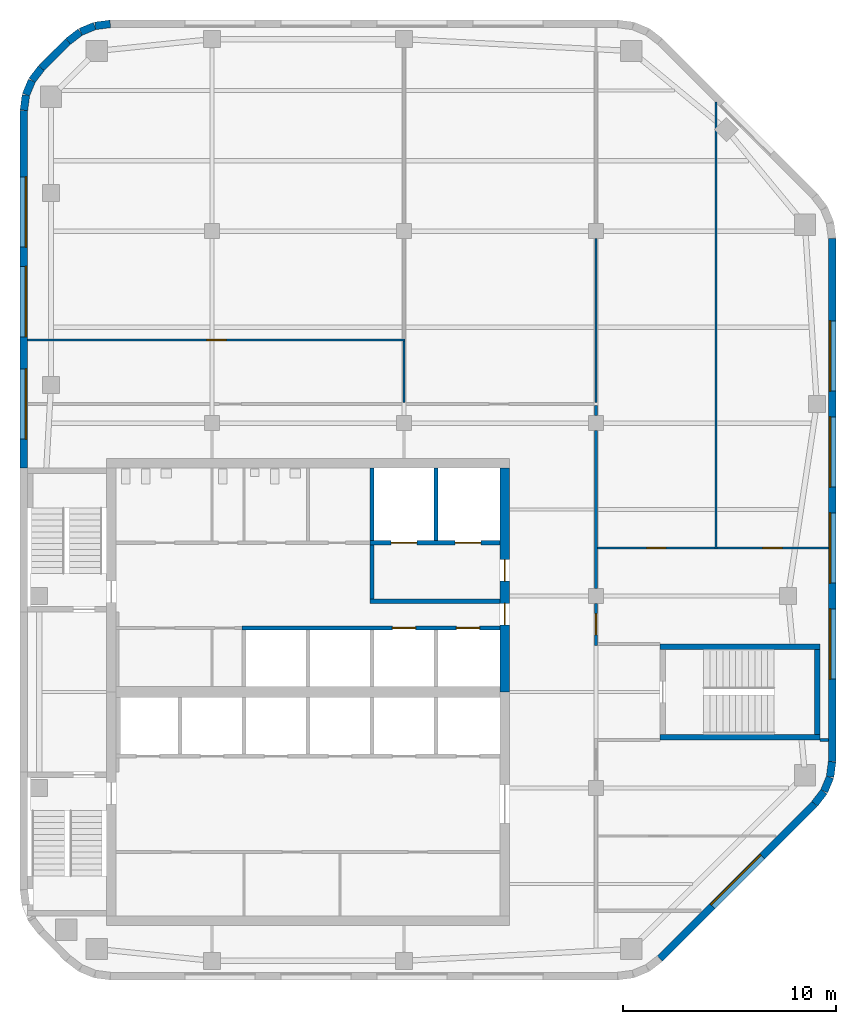
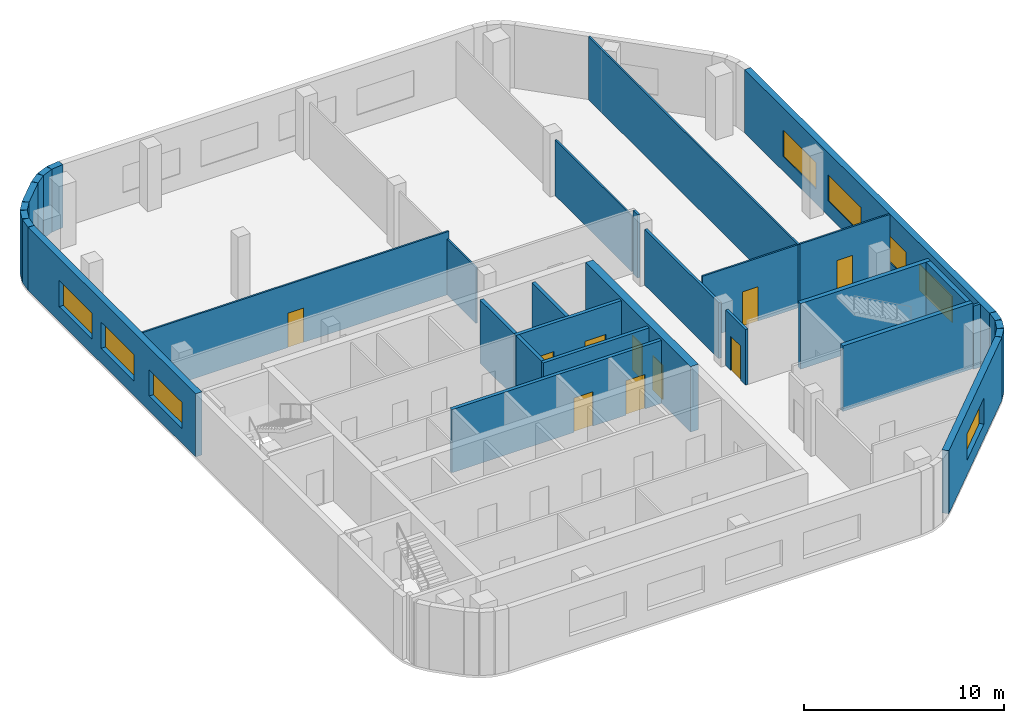
# One storey, part 4 of 7: 33 walls, 10 doors, 8 windows, 18 openings.
"""IFC4 building model written with IfcOpenShell, lengths in metres."""

from ifc_helpers import new_model, si_unit, direction, frame, frame_2d, origin, place, context, subcontext, project, spatial, rectangle, extrude, material, layer, layer_set, type_object, element, fill, save


model = new_model("IFC4")

# Units and contexts
model_context = context("Model", 3, precision=1e-05, world=origin(), true_north=direction((0.0, 1.0)))
body_context = subcontext(model_context, "Body", "Model", "MODEL_VIEW")
ifc_project = project(units=[si_unit("LENGTHUNIT", "METRE"), si_unit("AREAUNIT", "SQUARE_METRE"), si_unit("VOLUMEUNIT", "CUBIC_METRE"), si_unit("PLANEANGLEUNIT", "RADIAN"), si_unit("MASSUNIT", "GRAM", prefix="KILO")], contexts=[model_context])

# Site, building, storey
site_placement = place(None, origin())
site = spatial("IfcSite", under=ifc_project, at=site_placement, CompositionType="ELEMENT")
building_placement = place(site_placement, origin())
building = spatial("IfcBuilding", under=site, at=building_placement, Name="Cinnabar Reach Civic Tower", CompositionType="ELEMENT")
storey_placement = place(building_placement, frame((0.0, 0.0, 251.0)))
storey = spatial("IfcBuildingStorey", under=building, at=storey_placement, Name="L60", CompositionType="ELEMENT", Elevation=251.0)

# Walls
ifc_material_1 = material(Name="Facing brick with insulated backing", Category="masonry")
ifc_layer_1 = layer(ifc_material_1, 0.36)
ifc_layer_set_1 = layer_set([ifc_layer_1], Name="Brick corner wall")
wall_type_1 = type_object("IfcWallType", Name="Brick corner wall", PredefinedType="STANDARD", material=ifc_layer_set_1)
wall_1_placement = place(storey_placement, frame((37.2498, 26.2587, 0.0), z_axis=(0.0, 0.0, 1.0), x_axis=(0.608802368033, 0.793321924995, 0.0)))
element("IfcWall", 1, at=wall_1_placement, inside=storey, type_object=wall_type_1, Name="Brick corner wall", PredefinedType="STANDARD", context=body_context, shape_type="SweptSolid", body=[
    extrude(rectangle(XDim=0.7132, YDim=0.36, at=frame_2d((0.3566, 0.0))), origin(), (0.0, 0.0, 1.0), 3.85),
])
for number, where, z_axis, x_axis, name in (
    (2, (37.6952, 26.8439, 0.0), (0.0, 0.0, 1.0), (0.382702709855, 0.923871547278, 0.0), "Brick corner wall"),
    (3, (37.9739, 27.5244, 0.0), (0.0, 0.0, 1.0), (0.13055608231, 0.99144092581, 0.0), "Brick corner wall"),
    (4, (4.2314, 62.817, 0.0), (0.0, 0.0, 1.0), (-0.99144092581, -0.13055608231, 0.0), "Brick corner wall"),
    (5, (3.5027, 62.7181, 0.0), (0.0, 0.0, 1.0), (-0.923871547278, -0.382702709855, 0.0), "Brick corner wall"),
):
    element("IfcWall", number, at=place(storey_placement, frame(where, z_axis=z_axis, x_axis=x_axis)), inside=storey, type_object=wall_type_1, Name=name, PredefinedType="STANDARD", context=body_context, shape_type="SweptSolid", body=[
        extrude(rectangle(XDim=0.7131, YDim=0.36, at=frame_2d((0.3565, 0.0))), origin(), (0.0, 0.0, 1.0), 3.85),
    ])
for number, where, z_axis, x_axis, name in (
    (6, (2.8245, 62.434, 0.0), (0.0, 0.0, 1.0), (-0.793321924995, -0.608802368033, 0.0), "Brick corner wall"),
    (7, (1.0002, 60.7413, 0.0), (0.0, 0.0, 1.0), (-0.608802368033, -0.793321924995, 0.0), "Brick corner wall"),
):
    element("IfcWall", number, at=place(storey_placement, frame(where, z_axis=z_axis, x_axis=x_axis)), inside=storey, type_object=wall_type_1, Name=name, PredefinedType="STANDARD", context=body_context, shape_type="SweptSolid", body=[
        extrude(rectangle(XDim=0.7132, YDim=0.36, at=frame_2d((0.3566, 0.0))), origin(), (0.0, 0.0, 1.0), 3.85),
    ])
for number, where, z_axis, x_axis, name in (
    (8, (0.5548, 60.1561, 0.0), (0.0, 0.0, 1.0), (-0.382702709855, -0.923871547278, 0.0), "Brick corner wall"),
    (9, (0.2761, 59.4756, 0.0), (0.0, 0.0, 1.0), (-0.13055608231, -0.99144092581, 0.0), "Brick corner wall"),
):
    element("IfcWall", number, at=place(storey_placement, frame(where, z_axis=z_axis, x_axis=x_axis)), inside=storey, type_object=wall_type_1, Name=name, PredefinedType="STANDARD", context=body_context, shape_type="SweptSolid", body=[
        extrude(rectangle(XDim=0.7131, YDim=0.36, at=frame_2d((0.3565, 0.0))), origin(), (0.0, 0.0, 1.0), 3.85),
    ])

# Wall, opening, window
ifc_layer_2 = layer(ifc_material_1, 0.36)
ifc_layer_set_2 = layer_set([ifc_layer_2], Name="Brick pier and spandrel wall")
wall_type_2 = type_object("IfcWallType", Name="Brick pier and spandrel wall", PredefinedType="STANDARD", material=ifc_layer_set_2)
wall_2_placement = place(storey_placement, frame((30.0014, 19.006, 0.0), z_axis=(0.0, 0.0, 1.0), x_axis=(0.707106781187, 0.707106781187, 0.0)))
wall_2 = element("IfcWall", 10, at=wall_2_placement, inside=storey, type_object=wall_type_2, Name="Brick facade wall", PredefinedType="STANDARD", context=body_context, shape_type="SweptSolid", body=[
    extrude(rectangle(XDim=10.2426, YDim=0.36, at=frame_2d((5.1213, 0.0))), origin(), (0.0, 0.0, 1.0), 3.85),
])
opening_1_placement = place(wall_2_placement, frame((3.4713, 0.0, 0.9)))
opening_1 = element("IfcOpeningElement", 11, at=opening_1_placement, cuts=wall_2, Name="Opening W2198", PredefinedType="OPENING", context=body_context, shape_type="SweptSolid", body=[
    extrude(rectangle(XDim=3.3, YDim=1.6, at=frame_2d((1.65, 0.8))), frame((0.0, 0.19, 0.0), z_axis=(0.0, -1.0, 0.0), x_axis=(1.0, 0.0, 0.0)), (0.0, 0.0, 1.0), 0.38),
])
ifc_material_2 = material(Name="Clear double glazing in aluminium frame", Category="aluminium")
window_type = type_object("IfcWindowType", Name="Deep-set window A", PartitioningType="SINGLE_PANEL", PredefinedType="WINDOW", material=ifc_material_2)
window_1_placement = place(opening_1_placement, origin())
window_1 = element("IfcWindow", 12, at=window_1_placement, inside=storey, type_object=window_type, Name="Window southeast face", OverallHeight=1.6, OverallWidth=3.3, PartitioningType="SINGLE_PANEL", PredefinedType="WINDOW", context=body_context, shape_type="SweptSolid", body=[
    extrude(rectangle(XDim=3.3, YDim=1.6, at=frame_2d((1.65, 0.8))), frame((0.0, 0.13, 0.0), z_axis=(0.0, -1.0, 0.0), x_axis=(1.0, 0.0, 0.0)), (0.0, 0.0, 1.0), 0.06),
])
fill(opening_1, window_1)

# Wall, openings, windows
wall_3_placement = place(storey_placement, frame((38.07, 28.2426, 0.0), z_axis=(0.0, 0.0, 1.0), x_axis=(0.0, 1.0, 0.0)))
wall_3 = element("IfcWall", 13, at=wall_3_placement, inside=storey, type_object=wall_type_2, Name="Brick facade wall", PredefinedType="STANDARD", context=body_context, shape_type="SweptSolid", body=[
    extrude(rectangle(XDim=24.5148, YDim=0.36, at=frame_2d((12.2574, 0.0))), origin(), (0.0, 0.0, 1.0), 3.85),
])
opening_2_placement = place(wall_3_placement, frame((3.8574, 0.0, 0.9)))
opening_2 = element("IfcOpeningElement", 14, at=opening_2_placement, cuts=wall_3, Name="Opening W2199", PredefinedType="OPENING", context=body_context, shape_type="SweptSolid", body=[
    extrude(rectangle(XDim=3.3, YDim=1.6, at=frame_2d((1.65, 0.8))), frame((0.0, 0.19, 0.0), z_axis=(0.0, -1.0, 0.0), x_axis=(1.0, 0.0, 0.0)), (0.0, 0.0, 1.0), 0.38),
])
opening_3_placement = place(wall_3_placement, frame((8.3574, 0.0, 0.9)))
opening_3 = element("IfcOpeningElement", 15, at=opening_3_placement, cuts=wall_3, Name="Opening W2200", PredefinedType="OPENING", context=body_context, shape_type="SweptSolid", body=[
    extrude(rectangle(XDim=3.3, YDim=1.6, at=frame_2d((1.65, 0.8))), frame((0.0, 0.19, 0.0), z_axis=(0.0, -1.0, 0.0), x_axis=(1.0, 0.0, 0.0)), (0.0, 0.0, 1.0), 0.38),
])
opening_4_placement = place(wall_3_placement, frame((12.8574, 0.0, 0.9)))
opening_4 = element("IfcOpeningElement", 16, at=opening_4_placement, cuts=wall_3, Name="Opening W2201", PredefinedType="OPENING", context=body_context, shape_type="SweptSolid", body=[
    extrude(rectangle(XDim=3.3, YDim=1.6, at=frame_2d((1.65, 0.8))), frame((0.0, 0.19, 0.0), z_axis=(0.0, -1.0, 0.0), x_axis=(1.0, 0.0, 0.0)), (0.0, 0.0, 1.0), 0.38),
])
opening_5_placement = place(wall_3_placement, frame((17.3574, 0.0, 0.9)))
opening_5 = element("IfcOpeningElement", 17, at=opening_5_placement, cuts=wall_3, Name="Opening W2202", PredefinedType="OPENING", context=body_context, shape_type="SweptSolid", body=[
    extrude(rectangle(XDim=3.3, YDim=1.6, at=frame_2d((1.65, 0.8))), frame((0.0, 0.19, 0.0), z_axis=(0.0, -1.0, 0.0), x_axis=(1.0, 0.0, 0.0)), (0.0, 0.0, 1.0), 0.38),
])
window_2_placement = place(opening_2_placement, origin())
window_2 = element("IfcWindow", 18, at=window_2_placement, inside=storey, type_object=window_type, Name="Window east face", OverallHeight=1.6, OverallWidth=3.3, PartitioningType="SINGLE_PANEL", PredefinedType="WINDOW", context=body_context, shape_type="SweptSolid", body=[
    extrude(rectangle(XDim=3.3, YDim=1.6, at=frame_2d((1.65, 0.8))), frame((0.0, 0.13, 0.0), z_axis=(0.0, -1.0, 0.0), x_axis=(1.0, 0.0, 0.0)), (0.0, 0.0, 1.0), 0.06),
])
fill(opening_2, window_2)
window_3_placement = place(opening_3_placement, origin())
window_3 = element("IfcWindow", 19, at=window_3_placement, inside=storey, type_object=window_type, Name="Window east face", OverallHeight=1.6, OverallWidth=3.3, PartitioningType="SINGLE_PANEL", PredefinedType="WINDOW", context=body_context, shape_type="SweptSolid", body=[
    extrude(rectangle(XDim=3.3, YDim=1.6, at=frame_2d((1.65, 0.8))), frame((0.0, 0.13, 0.0), z_axis=(0.0, -1.0, 0.0), x_axis=(1.0, 0.0, 0.0)), (0.0, 0.0, 1.0), 0.06),
])
fill(opening_3, window_3)
window_4_placement = place(opening_4_placement, origin())
window_4 = element("IfcWindow", 20, at=window_4_placement, inside=storey, type_object=window_type, Name="Window east face", OverallHeight=1.6, OverallWidth=3.3, PartitioningType="SINGLE_PANEL", PredefinedType="WINDOW", context=body_context, shape_type="SweptSolid", body=[
    extrude(rectangle(XDim=3.3, YDim=1.6, at=frame_2d((1.65, 0.8))), frame((0.0, 0.13, 0.0), z_axis=(0.0, -1.0, 0.0), x_axis=(1.0, 0.0, 0.0)), (0.0, 0.0, 1.0), 0.06),
])
fill(opening_4, window_4)
window_5_placement = place(opening_5_placement, origin())
window_5 = element("IfcWindow", 21, at=window_5_placement, inside=storey, type_object=window_type, Name="Window east face", OverallHeight=1.6, OverallWidth=3.3, PartitioningType="SINGLE_PANEL", PredefinedType="WINDOW", context=body_context, shape_type="SweptSolid", body=[
    extrude(rectangle(XDim=3.3, YDim=1.6, at=frame_2d((1.65, 0.8))), frame((0.0, 0.13, 0.0), z_axis=(0.0, -1.0, 0.0), x_axis=(1.0, 0.0, 0.0)), (0.0, 0.0, 1.0), 0.06),
])
fill(opening_5, window_5)

# Wall
wall_4_placement = place(storey_placement, frame((2.2486, 61.994, 0.0), z_axis=(0.0, 0.0, 1.0), x_axis=(-0.707106781187, -0.707106781187, 0.0)))
element("IfcWall", 22, at=wall_4_placement, inside=storey, type_object=wall_type_2, Name="Brick facade wall", PredefinedType="STANDARD", context=body_context, shape_type="SweptSolid", body=[
    extrude(rectangle(XDim=1.7573, YDim=0.36, at=frame_2d((0.8787, 0.0))), origin(), (0.0, 0.0, 1.0), 3.85),
])

# Wall, openings, windows
wall_5_placement = place(storey_placement, frame((0.18, 58.7574, 0.0), z_axis=(0.0, 0.0, 1.0), x_axis=(0.0, -1.0, 0.0)))
wall_5 = element("IfcWall", 23, at=wall_5_placement, inside=storey, type_object=wall_type_2, Name="Brick facade wall", PredefinedType="STANDARD", context=body_context, shape_type="SweptSolid", body=[
    extrude(rectangle(XDim=16.7574, YDim=0.36, at=frame_2d((8.3787, 0.0))), origin(), (0.0, 0.0, 1.0), 3.85),
])
opening_6_placement = place(wall_5_placement, frame((3.1074, 0.0, 0.9)))
opening_6 = element("IfcOpeningElement", 24, at=opening_6_placement, cuts=wall_5, Name="Opening W2208", PredefinedType="OPENING", context=body_context, shape_type="SweptSolid", body=[
    extrude(rectangle(XDim=3.3, YDim=1.6, at=frame_2d((1.65, 0.8))), frame((0.0, 0.19, 0.0), z_axis=(0.0, -1.0, 0.0), x_axis=(1.0, 0.0, 0.0)), (0.0, 0.0, 1.0), 0.38),
])
opening_7_placement = place(wall_5_placement, frame((7.3074, 0.0, 0.9)))
opening_7 = element("IfcOpeningElement", 25, at=opening_7_placement, cuts=wall_5, Name="Opening W2209", PredefinedType="OPENING", context=body_context, shape_type="SweptSolid", body=[
    extrude(rectangle(XDim=3.3, YDim=1.6, at=frame_2d((1.65, 0.8))), frame((0.0, 0.19, 0.0), z_axis=(0.0, -1.0, 0.0), x_axis=(1.0, 0.0, 0.0)), (0.0, 0.0, 1.0), 0.38),
])
opening_8_placement = place(wall_5_placement, frame((12.1074, 0.0, 0.9)))
opening_8 = element("IfcOpeningElement", 26, at=opening_8_placement, cuts=wall_5, Name="Opening W2210", PredefinedType="OPENING", context=body_context, shape_type="SweptSolid", body=[
    extrude(rectangle(XDim=3.3, YDim=1.6, at=frame_2d((1.65, 0.8))), frame((0.0, 0.19, 0.0), z_axis=(0.0, -1.0, 0.0), x_axis=(1.0, 0.0, 0.0)), (0.0, 0.0, 1.0), 0.38),
])
window_6_placement = place(opening_6_placement, origin())
window_6 = element("IfcWindow", 27, at=window_6_placement, inside=storey, type_object=window_type, Name="Window west face", OverallHeight=1.6, OverallWidth=3.3, PartitioningType="SINGLE_PANEL", PredefinedType="WINDOW", context=body_context, shape_type="SweptSolid", body=[
    extrude(rectangle(XDim=3.3, YDim=1.6, at=frame_2d((1.65, 0.8))), frame((0.0, 0.13, 0.0), z_axis=(0.0, -1.0, 0.0), x_axis=(1.0, 0.0, 0.0)), (0.0, 0.0, 1.0), 0.06),
])
fill(opening_6, window_6)
window_7_placement = place(opening_7_placement, origin())
window_7 = element("IfcWindow", 28, at=window_7_placement, inside=storey, type_object=window_type, Name="Window west face", OverallHeight=1.6, OverallWidth=3.3, PartitioningType="SINGLE_PANEL", PredefinedType="WINDOW", context=body_context, shape_type="SweptSolid", body=[
    extrude(rectangle(XDim=3.3, YDim=1.6, at=frame_2d((1.65, 0.8))), frame((0.0, 0.13, 0.0), z_axis=(0.0, -1.0, 0.0), x_axis=(1.0, 0.0, 0.0)), (0.0, 0.0, 1.0), 0.06),
])
fill(opening_7, window_7)
window_8_placement = place(opening_8_placement, origin())
window_8 = element("IfcWindow", 29, at=window_8_placement, inside=storey, type_object=window_type, Name="Window west face", OverallHeight=1.6, OverallWidth=3.3, PartitioningType="SINGLE_PANEL", PredefinedType="WINDOW", context=body_context, shape_type="SweptSolid", body=[
    extrude(rectangle(XDim=3.3, YDim=1.6, at=frame_2d((1.65, 0.8))), frame((0.0, 0.13, 0.0), z_axis=(0.0, -1.0, 0.0), x_axis=(1.0, 0.0, 0.0)), (0.0, 0.0, 1.0), 0.06),
])
fill(opening_8, window_8)

# Wall, openings, doors
ifc_material_3 = material(Name="Concrete C60", Category="concrete")
ifc_layer_3 = layer(ifc_material_3, 0.45)
ifc_layer_set_3 = layer_set([ifc_layer_3], Name="Core wall 450 EI 180")
wall_type_3 = type_object("IfcWallType", Name="Core wall 450 EI 180", PredefinedType="SOLIDWALL", material=ifc_layer_set_3)
wall_6_placement = place(storey_placement, frame((22.725, 31.5, 0.0), z_axis=(0.0, 0.0, 1.0), x_axis=(0.0, 1.0, 0.0)))
wall_6 = element("IfcWall", 30, at=wall_6_placement, inside=storey, type_object=wall_type_3, Name="Core wall T1 L60 E2", PredefinedType="SOLIDWALL", context=body_context, shape_type="SweptSolid", body=[
    extrude(rectangle(XDim=10.5, YDim=0.45, at=frame_2d((5.25, 0.0))), origin(), (0.0, 0.0, 1.0), 4.0),
])
opening_9_placement = place(wall_6_placement, frame((3.15, 0.0, 0.0)))
opening_9 = element("IfcOpeningElement", 31, at=opening_9_placement, cuts=wall_6, Name="Opening D5422", PredefinedType="OPENING", context=body_context, shape_type="SweptSolid", body=[
    extrude(rectangle(XDim=1.0, YDim=2.1, at=frame_2d((0.5, 1.05))), frame((0.0, 0.235, 0.0), z_axis=(0.0, -1.0, 0.0), x_axis=(1.0, 0.0, 0.0)), (0.0, 0.0, 1.0), 0.47),
])
opening_10_placement = place(wall_6_placement, frame((5.2, 0.0, 0.0)))
opening_10 = element("IfcOpeningElement", 32, at=opening_10_placement, cuts=wall_6, Name="Opening D5423", PredefinedType="OPENING", context=body_context, shape_type="SweptSolid", body=[
    extrude(rectangle(XDim=1.0, YDim=2.1, at=frame_2d((0.5, 1.05))), frame((0.0, 0.235, 0.0), z_axis=(0.0, -1.0, 0.0), x_axis=(1.0, 0.0, 0.0)), (0.0, 0.0, 1.0), 0.47),
])
ifc_material_4 = material(Name="Timber door leaf in steel frame", Category="steel")
door_type_1 = type_object("IfcDoorType", Name="Firefighting lobby door 1000 x 2100 T1", OperationType="SINGLE_SWING_LEFT", PredefinedType="DOOR", material=ifc_material_4)
door_1_placement = place(opening_10_placement, origin())
door_1 = element("IfcDoor", 33, at=door_1_placement, inside=storey, type_object=door_type_1, Name="Door D5423", OperationType="SINGLE_SWING_LEFT", OverallHeight=2.1, OverallWidth=1.0, PredefinedType="DOOR", context=body_context, shape_type="SweptSolid", body=[
    extrude(rectangle(XDim=1.0, YDim=2.1, at=frame_2d((0.5, 1.05))), frame((0.0, 0.025, 0.0), z_axis=(0.0, -1.0, 0.0), x_axis=(1.0, 0.0, 0.0)), (0.0, 0.0, 1.0), 0.05),
])
fill(opening_10, door_1)
door_type_2 = type_object("IfcDoorType", Name="Single swing door 1000 x 2100 T1", OperationType="SINGLE_SWING_LEFT", PredefinedType="DOOR", material=ifc_material_4)
door_2_placement = place(opening_9_placement, origin())
door_2 = element("IfcDoor", 34, at=door_2_placement, inside=storey, type_object=door_type_2, Name="Door D5422", OperationType="SINGLE_SWING_RIGHT", OverallHeight=2.1, OverallWidth=1.0, PredefinedType="DOOR", context=body_context, shape_type="SweptSolid", body=[
    extrude(rectangle(XDim=1.0, YDim=2.1, at=frame_2d((0.5, 1.05))), frame((0.0, 0.025, 0.0), z_axis=(0.0, -1.0, 0.0), x_axis=(1.0, 0.0, 0.0)), (0.0, 0.0, 1.0), 0.05),
])
fill(opening_9, door_2)

# Wall, opening, door
ifc_material_5 = material(Name="Gypsum board on steel studs, double layer", Category="steel")
ifc_layer_4 = layer(ifc_material_5, 0.15)
ifc_layer_set_4 = layer_set([ifc_layer_4], Name="Corridor wall 150 T1")
wall_type_4 = type_object("IfcWallType", Name="Corridor wall 150 T1", PredefinedType="PARTITIONING", material=ifc_layer_set_4)
wall_7_placement = place(storey_placement, frame((27.0, 33.675, 0.0), z_axis=(0.0, 0.0, 1.0), x_axis=(0.0, 1.0, 0.0)))
wall_7 = element("IfcWall", 35, at=wall_7_placement, inside=storey, type_object=wall_type_4, Name="Corridor wall 21", PredefinedType="PARTITIONING", context=body_context, shape_type="SweptSolid", body=[
    extrude(rectangle(XDim=1.975, YDim=0.15, at=frame_2d((0.9875, 0.0))), origin(), (0.0, 0.0, 1.0), 3.4),
])
opening_11_placement = place(wall_7_placement, frame((0.5, 0.0, 0.0)))
opening_11 = element("IfcOpeningElement", 36, at=opening_11_placement, cuts=wall_7, Name="Opening D5434", PredefinedType="OPENING", context=body_context, shape_type="SweptSolid", body=[
    extrude(rectangle(XDim=1.0, YDim=2.1, at=frame_2d((0.5, 1.05))), frame((0.0, 0.085, 0.0), z_axis=(0.0, -1.0, 0.0), x_axis=(1.0, 0.0, 0.0)), (0.0, 0.0, 1.0), 0.17),
])
door_type_3 = type_object("IfcDoorType", Name="Tenancy entrance door 1000 x 2100 T1", OperationType="SINGLE_SWING_LEFT", PredefinedType="DOOR", material=ifc_material_4)
door_3_placement = place(opening_11_placement, frame((1.0, 0.0, 0.0), z_axis=(0.0, 0.0, 1.0), x_axis=(-1.0, 0.0, 0.0)))
door_3 = element("IfcDoor", 37, at=door_3_placement, inside=storey, type_object=door_type_3, Name="Door D5434", OperationType="SINGLE_SWING_RIGHT", OverallHeight=2.1, OverallWidth=1.0, PredefinedType="DOOR", context=body_context, shape_type="SweptSolid", body=[
    extrude(rectangle(XDim=1.0, YDim=2.1, at=frame_2d((0.5, 1.05))), frame((0.0, 0.025, 0.0), z_axis=(0.0, -1.0, 0.0), x_axis=(1.0, 0.0, 0.0)), (0.0, 0.0, 1.0), 0.05),
])
fill(opening_11, door_3)

# Walls
wall_8_placement = place(storey_placement, frame((27.0, 36.35, 0.0), z_axis=(0.0, 0.0, 1.0), x_axis=(0.0, 1.0, 0.0)))
element("IfcWall", 38, at=wall_8_placement, inside=storey, type_object=wall_type_4, Name="Corridor wall 22", PredefinedType="PARTITIONING", context=body_context, shape_type="SweptSolid", body=[
    extrude(rectangle(XDim=7.4, YDim=0.15, at=frame_2d((3.7, 0.0))), origin(), (0.0, 0.0, 1.0), 3.4),
])
wall_9_placement = place(storey_placement, frame((27.0, 44.45, 0.0), z_axis=(0.0, 0.0, 1.0), x_axis=(0.0, 1.0, 0.0)))
element("IfcWall", 39, at=wall_9_placement, inside=storey, type_object=wall_type_4, Name="Corridor wall 23", PredefinedType="PARTITIONING", context=body_context, shape_type="SweptSolid", body=[
    extrude(rectangle(XDim=0.475, YDim=0.15, at=frame_2d((0.2375, 0.0))), origin(), (0.0, 0.0, 1.0), 3.85),
])

# Wall, openings, doors
ifc_material_6 = material(Name="Blockwork", Category="masonry")
ifc_layer_5 = layer(ifc_material_6, 0.2)
ifc_layer_set_5 = layer_set([ifc_layer_5], Name="Lift shaft wall 200 T1")
wall_type_5 = type_object("IfcWallType", Name="Lift shaft wall 200 T1", PredefinedType="PARTITIONING", material=ifc_layer_set_5)
wall_10_placement = place(storey_placement, frame((10.4, 34.5, 0.0), z_axis=(0.0, 0.0, 1.0), x_axis=(1.0, 0.0, 0.0)))
wall_10 = element("IfcWall", 40, at=wall_10_placement, inside=storey, type_object=wall_type_5, Name="Lift shaft wall 5", PredefinedType="PARTITIONING", context=body_context, shape_type="SweptSolid", body=[
    extrude(rectangle(XDim=12.1, YDim=0.2, at=frame_2d((6.05, 0.0))), origin(), (0.0, 0.0, 1.0), 3.85),
])
opening_12_placement = place(wall_10_placement, frame((7.05, 0.0, 0.0)))
opening_12 = element("IfcOpeningElement", 41, at=opening_12_placement, cuts=wall_10, Name="Opening D5417", PredefinedType="OPENING", context=body_context, shape_type="SweptSolid", body=[
    extrude(rectangle(XDim=1.1, YDim=2.1, at=frame_2d((0.55, 1.05))), frame((0.0, 0.11, 0.0), z_axis=(0.0, -1.0, 0.0), x_axis=(1.0, 0.0, 0.0)), (0.0, 0.0, 1.0), 0.22),
])
opening_13_placement = place(wall_10_placement, frame((10.05, 0.0, 0.0)))
opening_13 = element("IfcOpeningElement", 42, at=opening_13_placement, cuts=wall_10, Name="Opening D5418", PredefinedType="OPENING", context=body_context, shape_type="SweptSolid", body=[
    extrude(rectangle(XDim=1.1, YDim=2.1, at=frame_2d((0.55, 1.05))), frame((0.0, 0.11, 0.0), z_axis=(0.0, -1.0, 0.0), x_axis=(1.0, 0.0, 0.0)), (0.0, 0.0, 1.0), 0.22),
])
ifc_material_7 = material(Name="Stainless steel sliding door", Category="steel")
door_type_4 = type_object("IfcDoorType", Name="Lift landing door 1100 x 2100 T1", OperationType="SLIDING_TO_LEFT", PredefinedType="DOOR", material=ifc_material_7)
door_4_placement = place(opening_12_placement, origin())
door_4 = element("IfcDoor", 43, at=door_4_placement, inside=storey, type_object=door_type_4, Name="Lift landing door SV1 L60", OperationType="SLIDING_TO_LEFT", OverallHeight=2.1, OverallWidth=1.1, PredefinedType="DOOR", context=body_context, shape_type="SweptSolid", body=[
    extrude(rectangle(XDim=1.1, YDim=2.1, at=frame_2d((0.55, 1.05))), frame((0.0, 0.025, 0.0), z_axis=(0.0, -1.0, 0.0), x_axis=(1.0, 0.0, 0.0)), (0.0, 0.0, 1.0), 0.05),
])
fill(opening_12, door_4)
door_5_placement = place(opening_13_placement, origin())
door_5 = element("IfcDoor", 44, at=door_5_placement, inside=storey, type_object=door_type_4, Name="Lift landing door SV2 L60", OperationType="SLIDING_TO_LEFT", OverallHeight=2.1, OverallWidth=1.1, PredefinedType="DOOR", context=body_context, shape_type="SweptSolid", body=[
    extrude(rectangle(XDim=1.1, YDim=2.1, at=frame_2d((0.55, 1.05))), frame((0.0, 0.025, 0.0), z_axis=(0.0, -1.0, 0.0), x_axis=(1.0, 0.0, 0.0)), (0.0, 0.0, 1.0), 0.05),
])
fill(opening_13, door_5)

# Walls
for number, where, z_axis, x_axis, name in (
    (45, (16.5, 38.6, 0.0), (0.0, 0.0, 1.0), (0.0, 1.0, 0.0), "Lift shaft wall 14"),
    (46, (19.5, 38.6, 0.0), (0.0, 0.0, 1.0), (0.0, 1.0, 0.0), "Lift shaft wall 15"),
):
    element("IfcWall", number, at=place(storey_placement, frame(where, z_axis=z_axis, x_axis=x_axis)), inside=storey, type_object=wall_type_5, Name=name, PredefinedType="PARTITIONING", context=body_context, shape_type="SweptSolid", body=[
        extrude(rectangle(XDim=3.4, YDim=0.2, at=frame_2d((1.7, 0.0))), origin(), (0.0, 0.0, 1.0), 3.85),
    ])
ifc_material_8 = material(Name="Gypsum board on steel studs", Category="steel")
ifc_layer_6 = layer(ifc_material_8, 0.1)
ifc_layer_set_6 = layer_set([ifc_layer_6], Name="Partition wall 100 T1")
wall_type_6 = type_object("IfcWallType", Name="Partition wall 100 T1", PredefinedType="PARTITIONING", material=ifc_layer_set_6)
wall_11_placement = place(storey_placement, frame((32.625, 38.2, 0.0), z_axis=(0.0, 0.0, 1.0), x_axis=(0.0, 1.0, 0.0)))
element("IfcWall", 47, at=wall_11_placement, inside=storey, type_object=wall_type_6, Name="Partition wall 35", PredefinedType="PARTITIONING", context=body_context, shape_type="SweptSolid", body=[
    extrude(rectangle(XDim=20.9659, YDim=0.1, at=frame_2d((10.483, 0.0))), origin(), (0.0, 0.0, 1.0), 3.85),
])

# Wall, opening, door
wall_12_placement = place(storey_placement, frame((0.36, 48.0, 0.0), z_axis=(0.0, 0.0, 1.0), x_axis=(1.0, 0.0, 0.0)))
wall_12 = element("IfcWall", 48, at=wall_12_placement, inside=storey, type_object=wall_type_6, Name="Partition wall 36", PredefinedType="PARTITIONING", context=body_context, shape_type="SweptSolid", body=[
    extrude(rectangle(XDim=17.69, YDim=0.1, at=frame_2d((8.845, 0.0))), origin(), (0.0, 0.0, 1.0), 3.85),
])
opening_14_placement = place(wall_12_placement, frame((8.4, 0.0, 0.0)))
opening_14 = element("IfcOpeningElement", 49, at=opening_14_placement, cuts=wall_12, Name="Opening D5440", PredefinedType="OPENING", context=body_context, shape_type="SweptSolid", body=[
    extrude(rectangle(XDim=0.9, YDim=2.1, at=frame_2d((0.45, 1.05))), frame((0.0, 0.06, 0.0), z_axis=(0.0, -1.0, 0.0), x_axis=(1.0, 0.0, 0.0)), (0.0, 0.0, 1.0), 0.12),
])
door_type_5 = type_object("IfcDoorType", Name="Single swing door 900 x 2100 T1", OperationType="SINGLE_SWING_LEFT", PredefinedType="DOOR", material=ifc_material_4)
door_6_placement = place(opening_14_placement, frame((0.9, 0.0, 0.0), z_axis=(0.0, 0.0, 1.0), x_axis=(-1.0, 0.0, 0.0)))
door_6 = element("IfcDoor", 50, at=door_6_placement, inside=storey, type_object=door_type_5, Name="Door D5440", OperationType="SINGLE_SWING_LEFT", OverallHeight=2.1, OverallWidth=0.9, PredefinedType="DOOR", context=body_context, shape_type="SweptSolid", body=[
    extrude(rectangle(XDim=0.9, YDim=2.1, at=frame_2d((0.45, 1.05))), frame((0.0, 0.025, 0.0), z_axis=(0.0, -1.0, 0.0), x_axis=(1.0, 0.0, 0.0)), (0.0, 0.0, 1.0), 0.05),
])
fill(opening_14, door_6)

# Walls
wall_13_placement = place(storey_placement, frame((18.0, 45.075, 0.0), z_axis=(0.0, 0.0, 1.0), x_axis=(0.0, 1.0, 0.0)))
element("IfcWall", 51, at=wall_13_placement, inside=storey, type_object=wall_type_6, Name="Partition wall 37", PredefinedType="PARTITIONING", context=body_context, shape_type="SweptSolid", body=[
    extrude(rectangle(XDim=2.875, YDim=0.1, at=frame_2d((1.4375, 0.0))), origin(), (0.0, 0.0, 1.0), 3.4),
])
wall_14_placement = place(storey_placement, frame((27.0, 45.075, 0.0), z_axis=(0.0, 0.0, 1.0), x_axis=(0.0, 1.0, 0.0)))
element("IfcWall", 52, at=wall_14_placement, inside=storey, type_object=wall_type_6, Name="Partition wall 40", PredefinedType="PARTITIONING", context=body_context, shape_type="SweptSolid", body=[
    extrude(rectangle(XDim=7.675, YDim=0.1, at=frame_2d((3.8375, 0.0))), origin(), (0.0, 0.0, 1.0), 3.4),
])

# Wall, opening, door
wall_15_placement = place(storey_placement, frame((27.075, 38.25, 0.0), z_axis=(0.0, 0.0, 1.0), x_axis=(1.0, 0.0, 0.0)))
wall_15 = element("IfcWall", 53, at=wall_15_placement, inside=storey, type_object=wall_type_6, Name="Partition wall 42", PredefinedType="PARTITIONING", context=body_context, shape_type="SweptSolid", body=[
    extrude(rectangle(XDim=5.5, YDim=0.1, at=frame_2d((2.75, 0.0))), origin(), (0.0, 0.0, 1.0), 3.85),
])
opening_15_placement = place(wall_15_placement, frame((2.3, 0.0, 0.0)))
opening_15 = element("IfcOpeningElement", 54, at=opening_15_placement, cuts=wall_15, Name="Opening D5435", PredefinedType="OPENING", context=body_context, shape_type="SweptSolid", body=[
    extrude(rectangle(XDim=0.9, YDim=2.1, at=frame_2d((0.45, 1.05))), frame((0.0, 0.06, 0.0), z_axis=(0.0, -1.0, 0.0), x_axis=(1.0, 0.0, 0.0)), (0.0, 0.0, 1.0), 0.12),
])
door_7_placement = place(opening_15_placement, frame((0.9, 0.0, 0.0), z_axis=(0.0, 0.0, 1.0), x_axis=(-1.0, 0.0, 0.0)))
door_7 = element("IfcDoor", 55, at=door_7_placement, inside=storey, type_object=door_type_5, Name="Door D5435", OperationType="SINGLE_SWING_LEFT", OverallHeight=2.1, OverallWidth=0.9, PredefinedType="DOOR", context=body_context, shape_type="SweptSolid", body=[
    extrude(rectangle(XDim=0.9, YDim=2.1, at=frame_2d((0.45, 1.05))), frame((0.0, 0.025, 0.0), z_axis=(0.0, -1.0, 0.0), x_axis=(1.0, 0.0, 0.0)), (0.0, 0.0, 1.0), 0.05),
])
fill(opening_15, door_7)

wall_16_placement = place(storey_placement, frame((32.675, 38.25, 0.0), z_axis=(0.0, 0.0, 1.0), x_axis=(1.0, 0.0, 0.0)))
wall_16 = element("IfcWall", 56, at=wall_16_placement, inside=storey, type_object=wall_type_6, Name="Partition wall 43", PredefinedType="PARTITIONING", context=body_context, shape_type="SweptSolid", body=[
    extrude(rectangle(XDim=5.215, YDim=0.1, at=frame_2d((2.6075, 0.0))), origin(), (0.0, 0.0, 1.0), 3.85),
])
opening_16_placement = place(wall_16_placement, frame((2.15, 0.0, 0.0)))
opening_16 = element("IfcOpeningElement", 57, at=opening_16_placement, cuts=wall_16, Name="Opening D5436", PredefinedType="OPENING", context=body_context, shape_type="SweptSolid", body=[
    extrude(rectangle(XDim=0.9, YDim=2.1, at=frame_2d((0.45, 1.05))), frame((0.0, 0.06, 0.0), z_axis=(0.0, -1.0, 0.0), x_axis=(1.0, 0.0, 0.0)), (0.0, 0.0, 1.0), 0.12),
])
door_8_placement = place(opening_16_placement, frame((0.9, 0.0, 0.0), z_axis=(0.0, 0.0, 1.0), x_axis=(-1.0, 0.0, 0.0)))
door_8 = element("IfcDoor", 58, at=door_8_placement, inside=storey, type_object=door_type_5, Name="Door D5436", OperationType="SINGLE_SWING_RIGHT", OverallHeight=2.1, OverallWidth=0.9, PredefinedType="DOOR", context=body_context, shape_type="SweptSolid", body=[
    extrude(rectangle(XDim=0.9, YDim=2.1, at=frame_2d((0.45, 1.05))), frame((0.0, 0.025, 0.0), z_axis=(0.0, -1.0, 0.0), x_axis=(1.0, 0.0, 0.0)), (0.0, 0.0, 1.0), 0.05),
])
fill(opening_16, door_8)

# Wall
ifc_material_9 = material(Name="Concrete C40", Category="concrete")
ifc_layer_7 = layer(ifc_material_9, 0.2)
ifc_layer_set_7 = layer_set([ifc_layer_7], Name="Refuge compartment wall 200 T1")
wall_type_7 = type_object("IfcWallType", Name="Refuge compartment wall 200 T1", PredefinedType="PARTITIONING", material=ifc_layer_set_7)
wall_17_placement = place(storey_placement, frame((16.4, 35.75, 0.0), z_axis=(0.0, 0.0, 1.0), x_axis=(1.0, 0.0, 0.0)))
element("IfcWall", 59, at=wall_17_placement, inside=storey, type_object=wall_type_7, Name="Refuge compartment wall 1", PredefinedType="PARTITIONING", context=body_context, shape_type="SweptSolid", body=[
    extrude(rectangle(XDim=6.1, YDim=0.2, at=frame_2d((3.05, 0.0))), origin(), (0.0, 0.0, 1.0), 3.85),
])

# Wall, openings, doors
wall_18_placement = place(storey_placement, frame((16.4, 38.5, 0.0), z_axis=(0.0, 0.0, 1.0), x_axis=(1.0, 0.0, 0.0)))
wall_18 = element("IfcWall", 60, at=wall_18_placement, inside=storey, type_object=wall_type_7, Name="Refuge compartment wall 2", PredefinedType="PARTITIONING", context=body_context, shape_type="SweptSolid", body=[
    extrude(rectangle(XDim=6.1, YDim=0.2, at=frame_2d((3.05, 0.0))), origin(), (0.0, 0.0, 1.0), 3.85),
])
opening_17_placement = place(wall_18_placement, frame((1.0, 0.0, 0.0)))
opening_17 = element("IfcOpeningElement", 61, at=opening_17_placement, cuts=wall_18, Name="Opening D5419", PredefinedType="OPENING", context=body_context, shape_type="SweptSolid", body=[
    extrude(rectangle(XDim=1.2, YDim=2.1, at=frame_2d((0.6, 1.05))), frame((0.0, 0.11, 0.0), z_axis=(0.0, -1.0, 0.0), x_axis=(1.0, 0.0, 0.0)), (0.0, 0.0, 1.0), 0.22),
])
opening_18_placement = place(wall_18_placement, frame((4.0, 0.0, 0.0)))
opening_18 = element("IfcOpeningElement", 62, at=opening_18_placement, cuts=wall_18, Name="Opening D5420", PredefinedType="OPENING", context=body_context, shape_type="SweptSolid", body=[
    extrude(rectangle(XDim=1.2, YDim=2.1, at=frame_2d((0.6, 1.05))), frame((0.0, 0.11, 0.0), z_axis=(0.0, -1.0, 0.0), x_axis=(1.0, 0.0, 0.0)), (0.0, 0.0, 1.0), 0.22),
])
door_type_6 = type_object("IfcDoorType", Name="Firefighting lift landing door 1200 x 2100 T1", OperationType="SLIDING_TO_LEFT", PredefinedType="DOOR", material=ifc_material_7)
door_9_placement = place(opening_17_placement, origin())
door_9 = element("IfcDoor", 63, at=door_9_placement, inside=storey, type_object=door_type_6, Name="Lift landing door FF1 L60", OperationType="SLIDING_TO_LEFT", OverallHeight=2.1, OverallWidth=1.2, PredefinedType="DOOR", context=body_context, shape_type="SweptSolid", body=[
    extrude(rectangle(XDim=1.2, YDim=2.1, at=frame_2d((0.6, 1.05))), frame((0.0, 0.025, 0.0), z_axis=(0.0, -1.0, 0.0), x_axis=(1.0, 0.0, 0.0)), (0.0, 0.0, 1.0), 0.05),
])
fill(opening_17, door_9)
door_10_placement = place(opening_18_placement, origin())
door_10 = element("IfcDoor", 64, at=door_10_placement, inside=storey, type_object=door_type_6, Name="Lift landing door FF2 L60", OperationType="SLIDING_TO_LEFT", OverallHeight=2.1, OverallWidth=1.2, PredefinedType="DOOR", context=body_context, shape_type="SweptSolid", body=[
    extrude(rectangle(XDim=1.2, YDim=2.1, at=frame_2d((0.6, 1.05))), frame((0.0, 0.025, 0.0), z_axis=(0.0, -1.0, 0.0), x_axis=(1.0, 0.0, 0.0)), (0.0, 0.0, 1.0), 0.05),
])
fill(opening_18, door_10)

# Walls
wall_19_placement = place(storey_placement, frame((16.5, 35.85, 0.0), z_axis=(0.0, 0.0, 1.0), x_axis=(0.0, 1.0, 0.0)))
element("IfcWall", 65, at=wall_19_placement, inside=storey, type_object=wall_type_7, Name="Refuge compartment wall 3", PredefinedType="PARTITIONING", context=body_context, shape_type="SweptSolid", body=[
    extrude(rectangle(XDim=2.55, YDim=0.2, at=frame_2d((1.275, 0.0))), origin(), (0.0, 0.0, 1.0), 3.85),
])
ifc_layer_8 = layer(ifc_material_3, 0.25)
ifc_layer_set_8 = layer_set([ifc_layer_8], Name="Stair shaft wall 250 EI 120")
wall_type_8 = type_object("IfcWallType", Name="Stair shaft wall 250 EI 120", PredefinedType="SOLIDWALL", material=ifc_layer_set_8)
for number, where, z_axis, x_axis, name in (
    (66, (30.0, 29.375, 0.0), (0.0, 0.0, 1.0), (1.0, 0.0, 0.0), "Stair shaft wall T1-S3 L60"),
    (67, (37.5, 33.625, 0.0), (0.0, 0.0, 1.0), (-1.0, 0.0, 0.0), "Stair shaft wall T1-S3 L60"),
):
    element("IfcWall", number, at=place(storey_placement, frame(where, z_axis=z_axis, x_axis=x_axis)), inside=storey, type_object=wall_type_8, Name=name, PredefinedType="SOLIDWALL", context=body_context, shape_type="SweptSolid", body=[
        extrude(rectangle(XDim=7.5, YDim=0.25, at=frame_2d((3.75, 0.0))), origin(), (0.0, 0.0, 1.0), 4.0),
    ])
wall_20_placement = place(storey_placement, frame((37.375, 29.5, 0.0), z_axis=(0.0, 0.0, 1.0), x_axis=(0.0, 1.0, 0.0)))
element("IfcWall", 68, at=wall_20_placement, inside=storey, type_object=wall_type_8, Name="Stair shaft wall T1-S3 L60", PredefinedType="SOLIDWALL", context=body_context, shape_type="SweptSolid", body=[
    extrude(rectangle(XDim=4.0, YDim=0.25, at=frame_2d((2.0, 0.0))), origin(), (0.0, 0.0, 1.0), 4.0),
])
ifc_layer_9 = layer(ifc_material_5, 0.15)
ifc_layer_set_9 = layer_set([ifc_layer_9], Name="Tenancy separating wall 150 T1")
wall_type_9 = type_object("IfcWallType", Name="Tenancy separating wall 150 T1", PredefinedType="PARTITIONING", material=ifc_layer_set_9)
wall_21_placement = place(storey_placement, frame((37.5, 29.25, 0.0), z_axis=(0.0, 0.0, 1.0), x_axis=(1.0, 0.0, 0.0)))
element("IfcWall", 69, at=wall_21_placement, inside=storey, type_object=wall_type_9, Name="Tenancy separating wall 34", PredefinedType="PARTITIONING", context=body_context, shape_type="SweptSolid", body=[
    extrude(rectangle(XDim=0.39, YDim=0.15, at=frame_2d((0.195, 0.0))), origin(), (0.0, 0.0, 1.0), 3.85),
])

save(model, "model.ifc")
